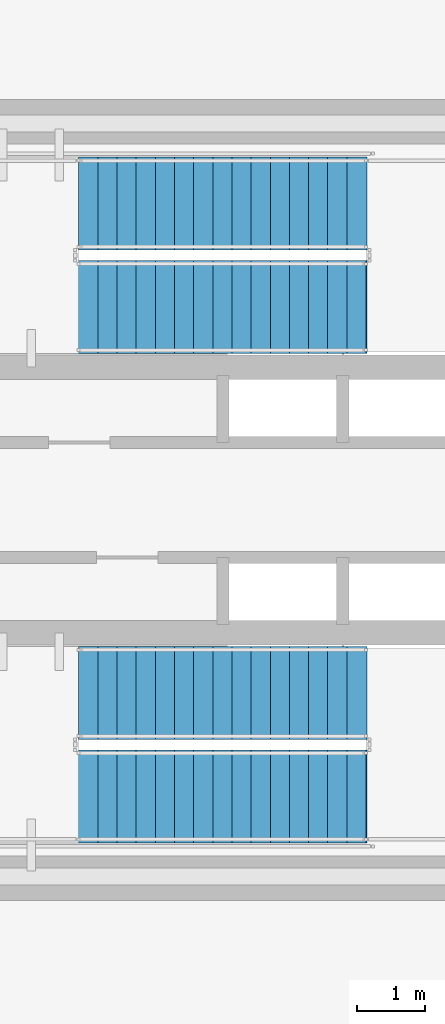
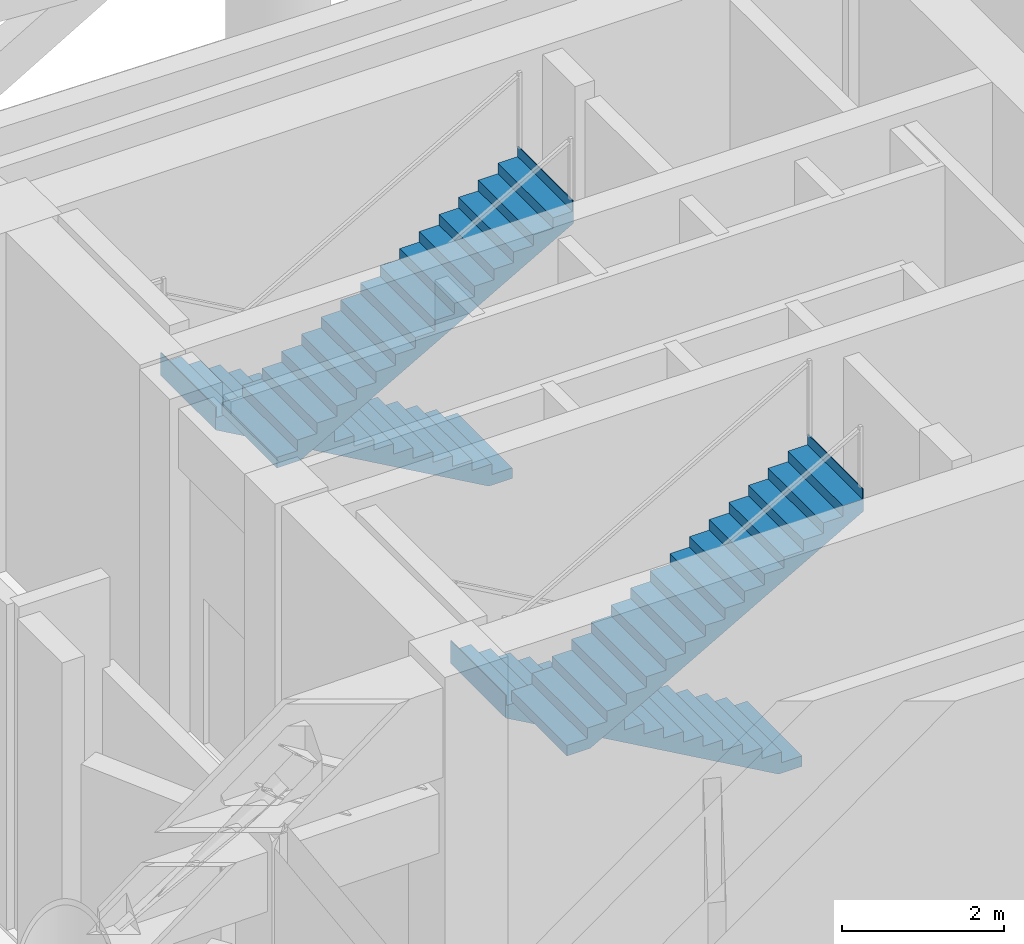
# One storey, part 5 of 9: 4 stair flights, 2 elements without a shape of their own.
"""IFC4 building model written with IfcOpenShell, lengths in metres."""

from ifc_helpers import new_model, si_unit, direction, frame, origin, place, context, subcontext, project, spatial, polyline, outline, extrude, material, type_object, element, aggregate, save


model = new_model("IFC4")

# Units and contexts
model_context = context("Model", 3, precision=1e-05, world=origin(), true_north=direction((0.0, 1.0)))
body_context = subcontext(model_context, "Body", "Model", "MODEL_VIEW")
ifc_project = project(units=[si_unit("LENGTHUNIT", "METRE"), si_unit("AREAUNIT", "SQUARE_METRE"), si_unit("VOLUMEUNIT", "CUBIC_METRE"), si_unit("PLANEANGLEUNIT", "RADIAN"), si_unit("MASSUNIT", "GRAM", prefix="KILO")], contexts=[model_context])

# Site, building, storey
site_placement = place(None, origin())
site = spatial("IfcSite", under=ifc_project, at=site_placement, CompositionType="ELEMENT")
building_placement = place(site_placement, origin())
building = spatial("IfcBuilding", under=site, at=building_placement, Name="Yunling Apex Tower", CompositionType="ELEMENT")
storey_placement = place(building_placement, frame((0.0, 0.0, 153.64990234375)))
storey = spatial("IfcBuildingStorey", under=building, at=storey_placement, Name="RF4", CompositionType="ELEMENT", Elevation=153.64990234375)

# Stair, stair flights
ifc_material = material(Name="Concrete C40", Category="concrete")
stair_type = type_object("IfcStairType", Name="ST-TWR-1", PredefinedType="HALF_TURN_STAIR", material=ifc_material)
stair_1_placement = place(storey_placement, origin())
stair_1 = element("IfcStair", 1, at=stair_1_placement, inside=storey, type_object=stair_type, Name="RF4 North Core Smokeproof Exit Stair ST-1", PredefinedType="HALF_TURN_STAIR")
stair_flight_type = type_object("IfcStairFlightType", Name="SFL-TWR-1", PredefinedType="STRAIGHT", material=ifc_material)
stair_flight_1_placement = place(storey_placement, frame((-0.010009765625, 4.330078125, 0.0), z_axis=(0.0, 0.0, 1.0), x_axis=(-1.0, 0.0, 0.0)))
stair_flight_1 = element("IfcStairFlight", 2, at=stair_flight_1_placement, type_object=stair_flight_type, Name="ST-1 flight 1", NumberOfRisers=16, NumberOfTreads=15, PredefinedType="STRAIGHT", RiserHeight=0.159375, TreadLength=0.28, context=body_context, shape_type="SweptSolid", body=[
    extrude(outline(polyline([(-0.011962890625, 0.0), (-0.011962890625, 0.159423828125), (0.0, 0.159423828125), (0.280029296875, 0.159423828125), (0.280029296875, 0.31884765625), (0.56005859375, 0.31884765625), (0.56005859375, 0.47802734375), (0.840087890625, 0.47802734375), (0.840087890625, 0.637451171875), (1.1201171875, 0.637451171875), (1.1201171875, 0.796875), (1.39990234375, 0.796875), (1.39990234375, 0.956298828125), (1.679931640625, 0.956298828125), (1.679931640625, 1.11572265625), (1.9599609375, 1.11572265625), (1.9599609375, 1.27490234375), (2.239990234375, 1.27490234375), (2.239990234375, 1.434326171875), (2.52001953125, 1.434326171875), (2.52001953125, 1.59375), (2.800048828125, 1.59375), (2.800048828125, 1.753173828125), (3.080078125, 1.753173828125), (3.080078125, 1.91259765625), (3.360107421875, 1.91259765625), (3.360107421875, 2.07177734375), (3.639892578125, 2.07177734375), (3.639892578125, 2.231201171875), (3.919921875, 2.231201171875), (3.919921875, 2.390625), (4.199951171875, 2.390625), (4.199951171875, 2.550048828125), (4.2119140625, 2.550048828125), (4.2119140625, 2.20654296875), (0.3232421875, 0.0), (-0.011962890625, 0.0)])), frame((0.0, 0.68017578125, 0.0), z_axis=(0.0, -1.0, 0.0), x_axis=(1.0, 0.0, 0.0)), (0.0, 0.0, 1.0), 1.360107421875),
])
stair_flight_2_placement = place(storey_placement, frame((-4.2099609375, 2.820068359375, 2.550048828125), z_axis=(0.0, 0.0, 1.0), x_axis=(1.0, 0.0, 0.0)))
stair_flight_2 = element("IfcStairFlight", 3, at=stair_flight_2_placement, type_object=stair_flight_type, Name="ST-1 flight 2", NumberOfRisers=16, NumberOfTreads=15, PredefinedType="STRAIGHT", RiserHeight=0.159375, TreadLength=0.28, context=body_context, shape_type="SweptSolid", body=[
    extrude(outline(polyline([(-0.011962890625, 0.0), (-0.011962890625, 0.159423828125), (0.0, 0.159423828125), (0.280029296875, 0.159423828125), (0.280029296875, 0.31884765625), (0.56005859375, 0.31884765625), (0.56005859375, 0.47802734375), (0.840087890625, 0.47802734375), (0.840087890625, 0.637451171875), (1.1201171875, 0.637451171875), (1.1201171875, 0.796875), (1.39990234375, 0.796875), (1.39990234375, 0.956298828125), (1.679931640625, 0.956298828125), (1.679931640625, 1.11572265625), (1.9599609375, 1.11572265625), (1.9599609375, 1.27490234375), (2.239990234375, 1.27490234375), (2.239990234375, 1.434326171875), (2.52001953125, 1.434326171875), (2.52001953125, 1.59375), (2.800048828125, 1.59375), (2.800048828125, 1.753173828125), (3.080078125, 1.753173828125), (3.080078125, 1.91259765625), (3.360107421875, 1.91259765625), (3.360107421875, 2.07177734375), (3.639892578125, 2.07177734375), (3.639892578125, 2.231201171875), (3.919921875, 2.231201171875), (3.919921875, 2.390625), (4.199951171875, 2.390625), (4.199951171875, 2.550048828125), (4.2119140625, 2.550048828125), (4.2119140625, 2.20654296875), (0.3232421875, 0.0), (-0.011962890625, 0.0)])), frame((0.0, 0.68017578125, 0.0), z_axis=(0.0, -1.0, 0.0), x_axis=(1.0, 0.0, 0.0)), (0.0, 0.0, 1.0), 1.360107421875),
])
aggregate(stair_1, [stair_flight_1, stair_flight_2])

stair_2_placement = place(storey_placement, origin())
stair_2 = element("IfcStair", 4, at=stair_2_placement, inside=storey, type_object=stair_type, Name="RF4 South Core Smokeproof Exit Stair ST-2", PredefinedType="HALF_TURN_STAIR")
stair_flight_3_placement = place(storey_placement, frame((-0.010009765625, -2.820068359375, 0.0), z_axis=(0.0, 0.0, 1.0), x_axis=(-1.0, 0.0, 0.0)))
stair_flight_3 = element("IfcStairFlight", 5, at=stair_flight_3_placement, type_object=stair_flight_type, Name="ST-2 flight 1", NumberOfRisers=16, NumberOfTreads=15, PredefinedType="STRAIGHT", RiserHeight=0.159375, TreadLength=0.28, context=body_context, shape_type="SweptSolid", body=[
    extrude(outline(polyline([(-0.011962890625, 0.0), (-0.011962890625, 0.159423828125), (0.0, 0.159423828125), (0.280029296875, 0.159423828125), (0.280029296875, 0.31884765625), (0.56005859375, 0.31884765625), (0.56005859375, 0.47802734375), (0.840087890625, 0.47802734375), (0.840087890625, 0.637451171875), (1.1201171875, 0.637451171875), (1.1201171875, 0.796875), (1.39990234375, 0.796875), (1.39990234375, 0.956298828125), (1.679931640625, 0.956298828125), (1.679931640625, 1.11572265625), (1.9599609375, 1.11572265625), (1.9599609375, 1.27490234375), (2.239990234375, 1.27490234375), (2.239990234375, 1.434326171875), (2.52001953125, 1.434326171875), (2.52001953125, 1.59375), (2.800048828125, 1.59375), (2.800048828125, 1.753173828125), (3.080078125, 1.753173828125), (3.080078125, 1.91259765625), (3.360107421875, 1.91259765625), (3.360107421875, 2.07177734375), (3.639892578125, 2.07177734375), (3.639892578125, 2.231201171875), (3.919921875, 2.231201171875), (3.919921875, 2.390625), (4.199951171875, 2.390625), (4.199951171875, 2.550048828125), (4.2119140625, 2.550048828125), (4.2119140625, 2.20654296875), (0.3232421875, 0.0), (-0.011962890625, 0.0)])), frame((0.0, 0.68017578125, 0.0), z_axis=(0.0, -1.0, 0.0), x_axis=(1.0, 0.0, 0.0)), (0.0, 0.0, 1.0), 1.360107421875),
])
stair_flight_4_placement = place(storey_placement, frame((-4.2099609375, -4.330078125, 2.550048828125), z_axis=(0.0, 0.0, 1.0), x_axis=(1.0, 0.0, 0.0)))
stair_flight_4 = element("IfcStairFlight", 6, at=stair_flight_4_placement, type_object=stair_flight_type, Name="ST-2 flight 2", NumberOfRisers=16, NumberOfTreads=15, PredefinedType="STRAIGHT", RiserHeight=0.159375, TreadLength=0.28, context=body_context, shape_type="SweptSolid", body=[
    extrude(outline(polyline([(-0.011962890625, 0.0), (-0.011962890625, 0.159423828125), (0.0, 0.159423828125), (0.280029296875, 0.159423828125), (0.280029296875, 0.31884765625), (0.56005859375, 0.31884765625), (0.56005859375, 0.47802734375), (0.840087890625, 0.47802734375), (0.840087890625, 0.637451171875), (1.1201171875, 0.637451171875), (1.1201171875, 0.796875), (1.39990234375, 0.796875), (1.39990234375, 0.956298828125), (1.679931640625, 0.956298828125), (1.679931640625, 1.11572265625), (1.9599609375, 1.11572265625), (1.9599609375, 1.27490234375), (2.239990234375, 1.27490234375), (2.239990234375, 1.434326171875), (2.52001953125, 1.434326171875), (2.52001953125, 1.59375), (2.800048828125, 1.59375), (2.800048828125, 1.753173828125), (3.080078125, 1.753173828125), (3.080078125, 1.91259765625), (3.360107421875, 1.91259765625), (3.360107421875, 2.07177734375), (3.639892578125, 2.07177734375), (3.639892578125, 2.231201171875), (3.919921875, 2.231201171875), (3.919921875, 2.390625), (4.199951171875, 2.390625), (4.199951171875, 2.550048828125), (4.2119140625, 2.550048828125), (4.2119140625, 2.20654296875), (0.3232421875, 0.0), (-0.011962890625, 0.0)])), frame((0.0, 0.68017578125, 0.0), z_axis=(0.0, -1.0, 0.0), x_axis=(1.0, 0.0, 0.0)), (0.0, 0.0, 1.0), 1.360107421875),
])
aggregate(stair_2, [stair_flight_3, stair_flight_4])

save(model, "model.ifc")
